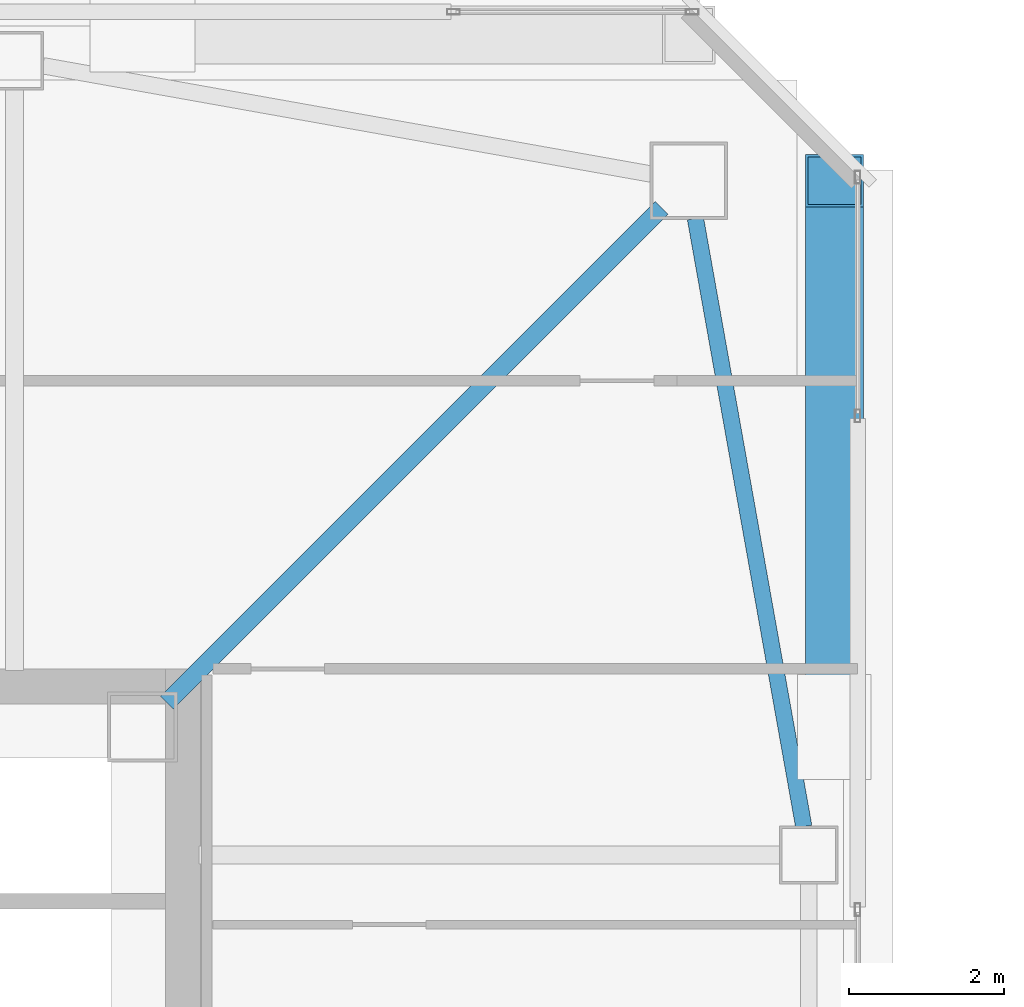
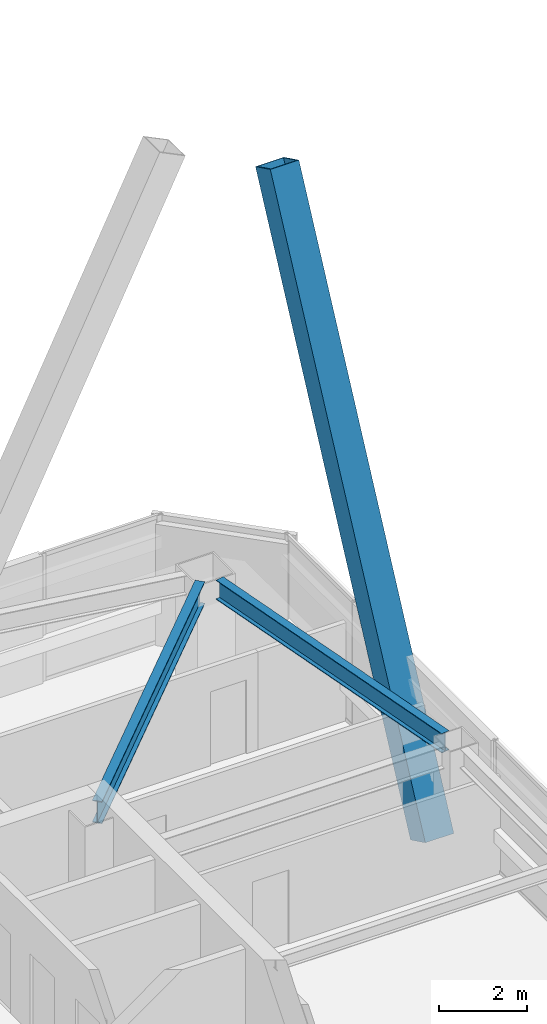
# One storey, part 17 of 56: 2 beams, 1 member.
"""IFC4 building model written with IfcOpenShell, lengths in metres."""

from ifc_helpers import new_model, si_unit, direction, frame, origin, origin_2d, place, context, subcontext, project, spatial, hollow_rectangle, i_section, extrude, material, material_profile, profile_set, type_object, element, save


model = new_model("IFC4")

# Units and contexts
model_context = context("Model", 3, precision=1e-05, world=origin(), true_north=direction((0.0, 1.0)))
body_context = subcontext(model_context, "Body", "Model", "MODEL_VIEW")
ifc_project = project(units=[si_unit("LENGTHUNIT", "METRE"), si_unit("AREAUNIT", "SQUARE_METRE"), si_unit("VOLUMEUNIT", "CUBIC_METRE"), si_unit("PLANEANGLEUNIT", "RADIAN"), si_unit("MASSUNIT", "GRAM", prefix="KILO")], contexts=[model_context])

# Site, building, storey
site_placement = place(None, origin())
site = spatial("IfcSite", under=ifc_project, at=site_placement, CompositionType="ELEMENT")
building_placement = place(site_placement, origin())
building = spatial("IfcBuilding", under=site, at=building_placement, Name="Tashvorn Skyway Center", CompositionType="ELEMENT")
storey_placement = place(building_placement, frame((0.0, 0.0, 218.39990234375)))
storey = spatial("IfcBuildingStorey", under=building, at=storey_placement, Name="L59", CompositionType="ELEMENT", Elevation=218.39990234375)

# Beams
ifc_material_1 = material(Name="Steel ASTM A992 Grade 50", Category="steel")
ifc_material_profile_1 = material_profile(ifc_material_1, i_section(OverallWidth=0.22998046875, OverallDepth=0.616943359375, WebThickness=0.01318359375, FlangeThickness=0.022216796875, at=origin_2d()), Name="W24X94")
ifc_profile_set_1 = profile_set([ifc_material_profile_1], Name="Steel ASTM A992 Grade 50")
beam_type_1 = type_object("IfcBeamType", Name="BM-BEAM-W24X94", PredefinedType="BEAM", material=ifc_profile_set_1)
beam_1_placement = place(storey_placement, frame((55.75, 45.75, 3.0615234375), z_axis=(-0.707106781187, -0.707106781187, 0.0), x_axis=(0.707106781187, -0.707106781187, 0.0)))
element("IfcBeam", 1, at=beam_1_placement, inside=storey, type_object=beam_type_1, Name="Tower 1 L59 Primary Floor Girder MC-NE", PredefinedType="BEAM", context=body_context, shape_type="SweptSolid", body=[
    extrude(i_section(OverallWidth=0.22998046875, OverallDepth=0.616943359375, WebThickness=0.01318359375, FlangeThickness=0.022216796875, at=origin_2d()), origin(), (0.0, 0.0, 1.0), 9.030029296875),
])
ifc_material_profile_2 = material_profile(ifc_material_1, i_section(OverallWidth=0.2109375, OverallDepth=0.5390625, WebThickness=0.01171875, FlangeThickness=0.018798828125, at=origin_2d()), Name="W21X73")
ifc_profile_set_2 = profile_set([ifc_material_profile_2], Name="Steel ASTM A992 Grade 50")
beam_type_2 = type_object("IfcBeamType", Name="BM-SPANDREL-W21X73", PredefinedType="SPANDREL", material=ifc_profile_set_2)
beam_2_placement = place(storey_placement, frame((57.585205078125, 37.76416015625, 3.1005859375), z_axis=(-0.17541329759, 0.984494883191, 0.0), x_axis=(-0.984494883191, -0.17541329759, 0.0)))
element("IfcBeam", 2, at=beam_2_placement, inside=storey, type_object=beam_type_2, Name="Tower 1 L59 Spandrel Beam 06", PredefinedType="SPANDREL", context=body_context, shape_type="SweptSolid", body=[
    extrude(i_section(OverallWidth=0.2109375, OverallDepth=0.5390625, WebThickness=0.01171875, FlangeThickness=0.018798828125, at=origin_2d()), origin(), (0.0, 0.0, 1.0), 7.97216796875),
])

# Member
ifc_material_2 = material(Name="Steel ASTM A572 Grade 50", Category="steel")
ifc_material_profile_3 = material_profile(ifc_material_2, hollow_rectangle(XDim=0.75, YDim=0.75, WallThickness=0.031982421875, at=origin_2d()), Name="BOX750x750x32")
ifc_profile_set_3 = profile_set([ifc_material_profile_3], Name="Steel ASTM A572 Grade 50")
member_type = type_object("IfcMemberType", Name="MEM-MB-750", PredefinedType="BRACE", material=ifc_profile_set_3)
member_placement = place(storey_placement, frame((57.97998046875, 39.050048828125, -0.449951171875), z_axis=(0.0, 0.439219679919, 0.898379692987), x_axis=(-1.0, 0.0, 0.0)))
element("IfcMember", 3, at=member_placement, inside=storey, type_object=member_type, Name="Tower 1 Zone 5 E Chevron Mega-Brace R2", PredefinedType="BRACE", context=body_context, shape_type="SweptSolid", body=[
    extrude(hollow_rectangle(XDim=0.75, YDim=0.75, WallThickness=0.031982421875, at=origin_2d()), origin(), (0.0, 0.0, 1.0), 16.05126953125),
])

save(model, "model.ifc")
